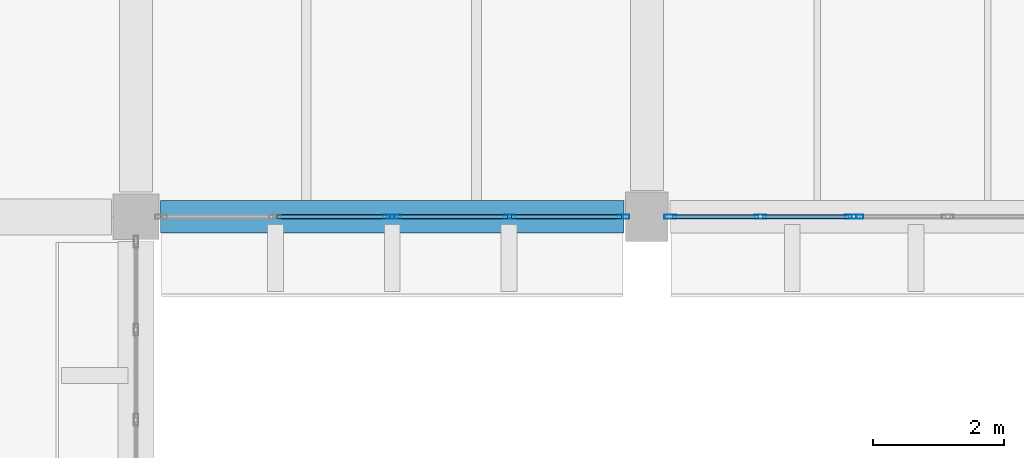
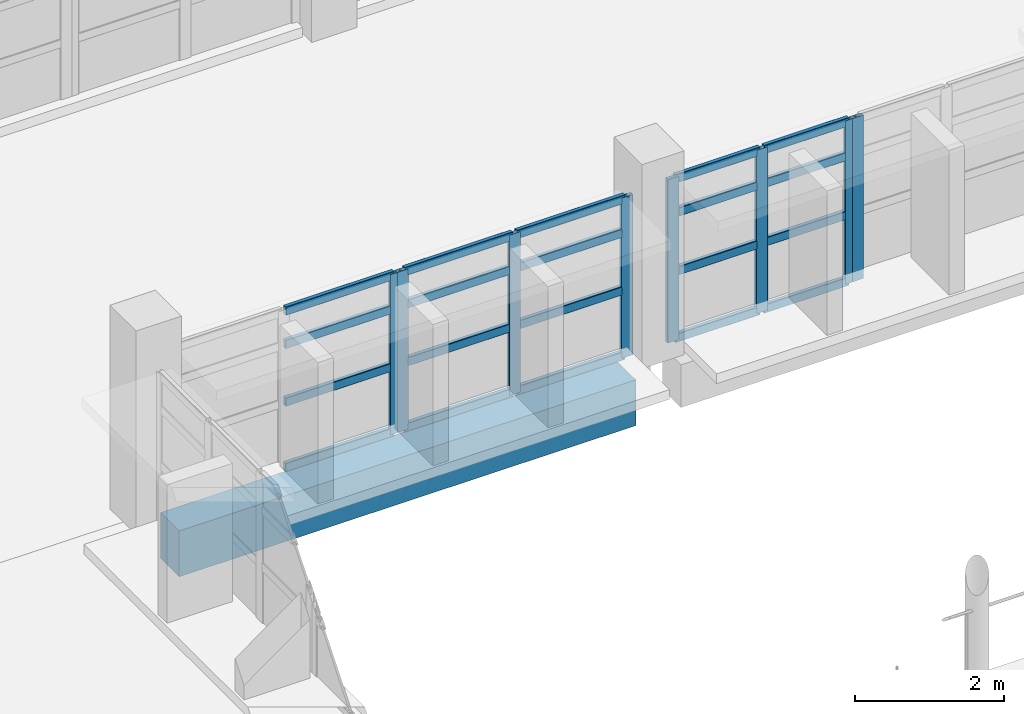
# One storey, part 20 of 75: 28 members, 1 beam, 4 elements without a shape of their own.
"""IFC4 building model written with IfcOpenShell, lengths in metres."""

from ifc_helpers import new_model, si_unit, direction, frame, origin, origin_2d, place, context, subcontext, project, spatial, rectangle, hollow_rectangle, extrude, material, material_profile, profile_set, type_object, element, aggregate, save


model = new_model("IFC4")

# Units and contexts
model_context = context("Model", 3, precision=1e-05, world=origin(), true_north=direction((0.0, 1.0)))
body_context = subcontext(model_context, "Body", "Model", "MODEL_VIEW")
ifc_project = project(units=[si_unit("LENGTHUNIT", "METRE"), si_unit("AREAUNIT", "SQUARE_METRE"), si_unit("VOLUMEUNIT", "CUBIC_METRE"), si_unit("PLANEANGLEUNIT", "RADIAN"), si_unit("MASSUNIT", "GRAM", prefix="KILO")], contexts=[model_context])

# Site, building, storey
site_placement = place(None, origin())
site = spatial("IfcSite", under=ifc_project, at=site_placement, CompositionType="ELEMENT")
building_placement = place(site_placement, origin())
building = spatial("IfcBuilding", under=site, at=building_placement, Name="Varnakota Cinema and Media Centre", CompositionType="ELEMENT")
storey_placement = place(building_placement, frame((0.0, 0.0, 8.39990234375)))
storey = spatial("IfcBuildingStorey", under=building, at=storey_placement, Name="L02", CompositionType="ELEMENT", Elevation=8.39990234375)

# Beam
ifc_material_1 = material(Name="Concrete M35", Category="concrete")
ifc_material_profile_1 = material_profile(ifc_material_1, rectangle(XDim=0.5, YDim=0.75, at=origin_2d()), Name="RCB 500x750")
ifc_profile_set_1 = profile_set([ifc_material_profile_1], Name="Concrete M35")
beam_type = type_object("IfcBeamType", Name="BM-RC-500x750", PredefinedType="BEAM", material=ifc_profile_set_1)
beam_placement = place(storey_placement, frame((51.97509765625, 35.199951171875, -0.625), z_axis=(1.0, 0.0, 0.0), x_axis=(0.0, 1.0, 0.0)))
element("IfcBeam", 1, at=beam_placement, inside=storey, type_object=beam_type, Name="L02 girder G-H/5", PredefinedType="BEAM", context=body_context, shape_type="SweptSolid", body=[
    extrude(rectangle(XDim=0.5, YDim=0.75, at=origin_2d()), origin(), (0.0, 0.0, 1.0), 7.074951171875),
])

# Curtain wall, member
ifc_material_2 = material(Name="Thermally broken anodised aluminium AW-6063", Category="aluminium")
curtain_wall_type_1 = type_object("IfcCurtainWallType", Name="CW-STD-282x268", PredefinedType="USERDEFINED", material=ifc_material_2)
curtain_wall_1_placement = place(storey_placement, origin())
curtain_wall_1 = element("IfcCurtainWall", 2, at=curtain_wall_1_placement, inside=storey, type_object=curtain_wall_type_1, Name="L02 curtain wall CW-L02-LINK-S-W-01-1", ObjectType="UNITISED CURTAIN WALL", PredefinedType="USERDEFINED")
ifc_material_3 = material(Name="Thermally broken anodised aluminium AW-6063", Category="aluminium")
ifc_material_profile_2 = material_profile(ifc_material_3, hollow_rectangle(XDim=0.06494140625, YDim=0.179931640625, WallThickness=0.00390625, InnerFilletRadius=0.00390625, OuterFilletRadius=0.008056640625, at=origin_2d()), Name="AL-MULLION 180x65x4")
ifc_profile_set_2 = profile_set([ifc_material_profile_2], Name="Thermally broken anodised aluminium AW-6063")
member_type_1 = type_object("IfcMemberType", Name="CWM-AL-180", PredefinedType="MULLION", material=ifc_profile_set_2)
member_1_placement = place(storey_placement, frame((62.614990234375, 35.199951171875, 0.0), z_axis=(0.0, 0.0, 1.0), x_axis=(0.0, -1.0, 0.0)))
member_1 = element("IfcMember", 3, at=member_1_placement, type_object=member_type_1, Name="CW32 mullion 3", PredefinedType="MULLION", context=body_context, shape_type="SweptSolid", body=[
    extrude(hollow_rectangle(XDim=0.06494140625, YDim=0.179931640625, WallThickness=0.00390625, InnerFilletRadius=0.00390625, OuterFilletRadius=0.008056640625, at=origin_2d()), origin(), (0.0, 0.0, 1.0), 2.675048828125),
])
aggregate(curtain_wall_1, [member_1])

# Curtain wall, members
curtain_wall_2_placement = place(storey_placement, origin())
curtain_wall_2 = element("IfcCurtainWall", 4, at=curtain_wall_2_placement, inside=storey, type_object=curtain_wall_type_1, Name="L02 curtain wall CW-L02-LINK-S-W-01-2", ObjectType="UNITISED CURTAIN WALL", PredefinedType="USERDEFINED")
member_2_placement = place(storey_placement, frame((62.510009765625, 35.199951171875, 0.0), z_axis=(0.0, 0.0, 1.0), x_axis=(0.0, -1.0, 0.0)))
member_2 = element("IfcMember", 5, at=member_2_placement, type_object=member_type_1, Name="CW32 mullion 1", PredefinedType="MULLION", context=body_context, shape_type="SweptSolid", body=[
    extrude(hollow_rectangle(XDim=0.06494140625, YDim=0.179931640625, WallThickness=0.00390625, InnerFilletRadius=0.00390625, OuterFilletRadius=0.008056640625, at=origin_2d()), origin(), (0.0, 0.0, 1.0), 2.675048828125),
])
member_3_placement = place(storey_placement, frame((61.1337890625, 35.199951171875, 0.0), z_axis=(0.0, 0.0, 1.0), x_axis=(0.0, -1.0, 0.0)))
member_3 = element("IfcMember", 6, at=member_3_placement, type_object=member_type_1, Name="CW32 mullion 2", PredefinedType="MULLION", context=body_context, shape_type="SweptSolid", body=[
    extrude(hollow_rectangle(XDim=0.06494140625, YDim=0.179931640625, WallThickness=0.00390625, InnerFilletRadius=0.00390625, OuterFilletRadius=0.008056640625, at=origin_2d()), origin(), (0.0, 0.0, 1.0), 2.675048828125),
])
member_4_placement = place(storey_placement, frame((59.757568359375, 35.199951171875, 0.0), z_axis=(0.0, 0.0, 1.0), x_axis=(0.0, -1.0, 0.0)))
member_4 = element("IfcMember", 7, at=member_4_placement, type_object=member_type_1, Name="CW32 mullion 3", PredefinedType="MULLION", context=body_context, shape_type="SweptSolid", body=[
    extrude(hollow_rectangle(XDim=0.06494140625, YDim=0.179931640625, WallThickness=0.00390625, InnerFilletRadius=0.00390625, OuterFilletRadius=0.008056640625, at=origin_2d()), origin(), (0.0, 0.0, 1.0), 2.675048828125),
])

ifc_material_4 = material(Name="Thermally broken anodised aluminium AW-6063", Category="aluminium")
curtain_wall_type_2 = type_object("IfcCurtainWallType", Name="CW-STD-354x262", PredefinedType="USERDEFINED", material=ifc_material_4)
curtain_wall_3_placement = place(storey_placement, origin())
curtain_wall_3 = element("IfcCurtainWall", 8, at=curtain_wall_3_placement, inside=storey, type_object=curtain_wall_type_2, Name="L02 curtain wall CW-L02-LINK-S-W-02-1", ObjectType="UNITISED CURTAIN WALL", PredefinedType="USERDEFINED")
member_5_placement = place(storey_placement, frame((59.04248046875, 35.199951171875, 0.0), z_axis=(0.0, 0.0, 1.0), x_axis=(0.0, -1.0, 0.0)))
member_5 = element("IfcMember", 9, at=member_5_placement, type_object=member_type_1, Name="CW33 mullion 1", PredefinedType="MULLION", context=body_context, shape_type="SweptSolid", body=[
    extrude(hollow_rectangle(XDim=0.06494140625, YDim=0.179931640625, WallThickness=0.00390625, InnerFilletRadius=0.00390625, OuterFilletRadius=0.008056640625, at=origin_2d()), origin(), (0.0, 0.0, 1.0), 2.625),
])
member_6_placement = place(storey_placement, frame((57.3037109375, 35.199951171875, 0.0), z_axis=(0.0, 0.0, 1.0), x_axis=(0.0, -1.0, 0.0)))
member_6 = element("IfcMember", 10, at=member_6_placement, type_object=member_type_1, Name="CW33 mullion 2", PredefinedType="MULLION", context=body_context, shape_type="SweptSolid", body=[
    extrude(hollow_rectangle(XDim=0.06494140625, YDim=0.179931640625, WallThickness=0.00390625, InnerFilletRadius=0.00390625, OuterFilletRadius=0.008056640625, at=origin_2d()), origin(), (0.0, 0.0, 1.0), 2.625),
])
member_7_placement = place(storey_placement, frame((55.56494140625, 35.199951171875, 0.0), z_axis=(0.0, 0.0, 1.0), x_axis=(0.0, -1.0, 0.0)))
member_7 = element("IfcMember", 11, at=member_7_placement, type_object=member_type_1, Name="CW33 mullion 3", PredefinedType="MULLION", context=body_context, shape_type="SweptSolid", body=[
    extrude(hollow_rectangle(XDim=0.06494140625, YDim=0.179931640625, WallThickness=0.00390625, InnerFilletRadius=0.00390625, OuterFilletRadius=0.008056640625, at=origin_2d()), origin(), (0.0, 0.0, 1.0), 2.625),
])

# Curtain wall, member
curtain_wall_4_placement = place(storey_placement, origin())
curtain_wall_4 = element("IfcCurtainWall", 12, at=curtain_wall_4_placement, inside=storey, type_object=curtain_wall_type_2, Name="L02 curtain wall CW-L02-LINK-S-W-02-2", ObjectType="UNITISED CURTAIN WALL", PredefinedType="USERDEFINED")
member_8_placement = place(storey_placement, frame((55.4599609375, 35.199951171875, 0.0), z_axis=(0.0, 0.0, 1.0), x_axis=(0.0, -1.0, 0.0)))
member_8 = element("IfcMember", 13, at=member_8_placement, type_object=member_type_1, Name="CW33 mullion 1", PredefinedType="MULLION", context=body_context, shape_type="SweptSolid", body=[
    extrude(hollow_rectangle(XDim=0.06494140625, YDim=0.179931640625, WallThickness=0.00390625, InnerFilletRadius=0.00390625, OuterFilletRadius=0.008056640625, at=origin_2d()), origin(), (0.0, 0.0, 1.0), 2.625),
])

# Member
ifc_material_5 = material(Name="Thermally broken anodised aluminium AW-6063", Category="aluminium")
ifc_material_profile_3 = material_profile(ifc_material_5, hollow_rectangle(XDim=0.06494140625, YDim=0.139892578125, WallThickness=0.00390625, InnerFilletRadius=0.00390625, OuterFilletRadius=0.008056640625, at=origin_2d()), Name="AL-TRANSOM 140x65x4")
ifc_profile_set_3 = profile_set([ifc_material_profile_3], Name="Thermally broken anodised aluminium AW-6063")
member_type_2 = type_object("IfcMemberType", Name="CWT-AL-140", PredefinedType="USERDEFINED", material=ifc_profile_set_3)
member_9_placement = place(storey_placement, frame((62.4775390625, 35.199951171875, 0.03271484375), z_axis=(-1.0, 0.0, 0.0), x_axis=(0.0, -1.0, 0.0)))
member_9 = element("IfcMember", 14, at=member_9_placement, type_object=member_type_2, Name="CW32 transom 1.1", ObjectType="TRANSOM", PredefinedType="USERDEFINED", context=body_context, shape_type="SweptSolid", body=[
    extrude(hollow_rectangle(XDim=0.06494140625, YDim=0.139892578125, WallThickness=0.00390625, InnerFilletRadius=0.00390625, OuterFilletRadius=0.008056640625, at=origin_2d()), origin(), (0.0, 0.0, 1.0), 1.311279296875),
])

member_10_placement = place(storey_placement, frame((62.4775390625, 35.199951171875, 1.12353515625), z_axis=(-1.0, 0.0, 0.0), x_axis=(0.0, -1.0, 0.0)))
member_10 = element("IfcMember", 15, at=member_10_placement, type_object=member_type_2, Name="CW32 transom 1.2", ObjectType="TRANSOM", PredefinedType="USERDEFINED", context=body_context, shape_type="SweptSolid", body=[
    extrude(hollow_rectangle(XDim=0.06494140625, YDim=0.139892578125, WallThickness=0.00390625, InnerFilletRadius=0.00390625, OuterFilletRadius=0.008056640625, at=origin_2d()), origin(), (0.0, 0.0, 1.0), 1.311279296875),
])

member_11_placement = place(storey_placement, frame((62.4775390625, 35.199951171875, 2.086669921875), z_axis=(-1.0, 0.0, 0.0), x_axis=(0.0, -1.0, 0.0)))
member_11 = element("IfcMember", 16, at=member_11_placement, type_object=member_type_2, Name="CW32 transom 1.3", ObjectType="TRANSOM", PredefinedType="USERDEFINED", context=body_context, shape_type="SweptSolid", body=[
    extrude(hollow_rectangle(XDim=0.06494140625, YDim=0.139892578125, WallThickness=0.00390625, InnerFilletRadius=0.00390625, OuterFilletRadius=0.008056640625, at=origin_2d()), origin(), (0.0, 0.0, 1.0), 1.311279296875),
])

member_12_placement = place(storey_placement, frame((62.4775390625, 35.199951171875, 2.642578125), z_axis=(-1.0, 0.0, 0.0), x_axis=(0.0, -1.0, 0.0)))
member_12 = element("IfcMember", 17, at=member_12_placement, type_object=member_type_2, Name="CW32 transom 1.4", ObjectType="TRANSOM", PredefinedType="USERDEFINED", context=body_context, shape_type="SweptSolid", body=[
    extrude(hollow_rectangle(XDim=0.06494140625, YDim=0.139892578125, WallThickness=0.00390625, InnerFilletRadius=0.00390625, OuterFilletRadius=0.008056640625, at=origin_2d()), origin(), (0.0, 0.0, 1.0), 1.311279296875),
])

member_13_placement = place(storey_placement, frame((61.101318359375, 35.199951171875, 0.03271484375), z_axis=(-1.0, 0.0, 0.0), x_axis=(0.0, -1.0, 0.0)))
member_13 = element("IfcMember", 18, at=member_13_placement, type_object=member_type_2, Name="CW32 transom 2.1", ObjectType="TRANSOM", PredefinedType="USERDEFINED", context=body_context, shape_type="SweptSolid", body=[
    extrude(hollow_rectangle(XDim=0.06494140625, YDim=0.139892578125, WallThickness=0.00390625, InnerFilletRadius=0.00390625, OuterFilletRadius=0.008056640625, at=origin_2d()), origin(), (0.0, 0.0, 1.0), 1.311279296875),
])

member_14_placement = place(storey_placement, frame((61.101318359375, 35.199951171875, 1.12353515625), z_axis=(-1.0, 0.0, 0.0), x_axis=(0.0, -1.0, 0.0)))
member_14 = element("IfcMember", 19, at=member_14_placement, type_object=member_type_2, Name="CW32 transom 2.2", ObjectType="TRANSOM", PredefinedType="USERDEFINED", context=body_context, shape_type="SweptSolid", body=[
    extrude(hollow_rectangle(XDim=0.06494140625, YDim=0.139892578125, WallThickness=0.00390625, InnerFilletRadius=0.00390625, OuterFilletRadius=0.008056640625, at=origin_2d()), origin(), (0.0, 0.0, 1.0), 1.311279296875),
])

member_15_placement = place(storey_placement, frame((61.101318359375, 35.199951171875, 2.086669921875), z_axis=(-1.0, 0.0, 0.0), x_axis=(0.0, -1.0, 0.0)))
member_15 = element("IfcMember", 20, at=member_15_placement, type_object=member_type_2, Name="CW32 transom 2.3", ObjectType="TRANSOM", PredefinedType="USERDEFINED", context=body_context, shape_type="SweptSolid", body=[
    extrude(hollow_rectangle(XDim=0.06494140625, YDim=0.139892578125, WallThickness=0.00390625, InnerFilletRadius=0.00390625, OuterFilletRadius=0.008056640625, at=origin_2d()), origin(), (0.0, 0.0, 1.0), 1.311279296875),
])

member_16_placement = place(storey_placement, frame((61.101318359375, 35.199951171875, 2.642578125), z_axis=(-1.0, 0.0, 0.0), x_axis=(0.0, -1.0, 0.0)))
member_16 = element("IfcMember", 21, at=member_16_placement, type_object=member_type_2, Name="CW32 transom 2.4", ObjectType="TRANSOM", PredefinedType="USERDEFINED", context=body_context, shape_type="SweptSolid", body=[
    extrude(hollow_rectangle(XDim=0.06494140625, YDim=0.139892578125, WallThickness=0.00390625, InnerFilletRadius=0.00390625, OuterFilletRadius=0.008056640625, at=origin_2d()), origin(), (0.0, 0.0, 1.0), 1.311279296875),
])

aggregate(curtain_wall_2, [member_2, member_3, member_4, member_9, member_10, member_11, member_12, member_13, member_14, member_15, member_16])

member_17_placement = place(storey_placement, frame((59.010009765625, 35.199951171875, 0.03271484375), z_axis=(-1.0, 0.0, 0.0), x_axis=(0.0, -1.0, 0.0)))
member_17 = element("IfcMember", 22, at=member_17_placement, type_object=member_type_2, Name="CW33 transom 1.1", ObjectType="TRANSOM", PredefinedType="USERDEFINED", context=body_context, shape_type="SweptSolid", body=[
    extrude(hollow_rectangle(XDim=0.06494140625, YDim=0.139892578125, WallThickness=0.00390625, InnerFilletRadius=0.00390625, OuterFilletRadius=0.008056640625, at=origin_2d()), origin(), (0.0, 0.0, 1.0), 1.673828125),
])

member_18_placement = place(storey_placement, frame((59.010009765625, 35.199951171875, 1.1025390625), z_axis=(-1.0, 0.0, 0.0), x_axis=(0.0, -1.0, 0.0)))
member_18 = element("IfcMember", 23, at=member_18_placement, type_object=member_type_2, Name="CW33 transom 1.2", ObjectType="TRANSOM", PredefinedType="USERDEFINED", context=body_context, shape_type="SweptSolid", body=[
    extrude(hollow_rectangle(XDim=0.06494140625, YDim=0.139892578125, WallThickness=0.00390625, InnerFilletRadius=0.00390625, OuterFilletRadius=0.008056640625, at=origin_2d()), origin(), (0.0, 0.0, 1.0), 1.673828125),
])

member_19_placement = place(storey_placement, frame((59.010009765625, 35.199951171875, 2.047607421875), z_axis=(-1.0, 0.0, 0.0), x_axis=(0.0, -1.0, 0.0)))
member_19 = element("IfcMember", 24, at=member_19_placement, type_object=member_type_2, Name="CW33 transom 1.3", ObjectType="TRANSOM", PredefinedType="USERDEFINED", context=body_context, shape_type="SweptSolid", body=[
    extrude(hollow_rectangle(XDim=0.06494140625, YDim=0.139892578125, WallThickness=0.00390625, InnerFilletRadius=0.00390625, OuterFilletRadius=0.008056640625, at=origin_2d()), origin(), (0.0, 0.0, 1.0), 1.673828125),
])

member_20_placement = place(storey_placement, frame((59.010009765625, 35.199951171875, 2.592529296875), z_axis=(-1.0, 0.0, 0.0), x_axis=(0.0, -1.0, 0.0)))
member_20 = element("IfcMember", 25, at=member_20_placement, type_object=member_type_2, Name="CW33 transom 1.4", ObjectType="TRANSOM", PredefinedType="USERDEFINED", context=body_context, shape_type="SweptSolid", body=[
    extrude(hollow_rectangle(XDim=0.06494140625, YDim=0.139892578125, WallThickness=0.00390625, InnerFilletRadius=0.00390625, OuterFilletRadius=0.008056640625, at=origin_2d()), origin(), (0.0, 0.0, 1.0), 1.673828125),
])

member_21_placement = place(storey_placement, frame((57.271240234375, 35.199951171875, 0.03271484375), z_axis=(-1.0, 0.0, 0.0), x_axis=(0.0, -1.0, 0.0)))
member_21 = element("IfcMember", 26, at=member_21_placement, type_object=member_type_2, Name="CW33 transom 2.1", ObjectType="TRANSOM", PredefinedType="USERDEFINED", context=body_context, shape_type="SweptSolid", body=[
    extrude(hollow_rectangle(XDim=0.06494140625, YDim=0.139892578125, WallThickness=0.00390625, InnerFilletRadius=0.00390625, OuterFilletRadius=0.008056640625, at=origin_2d()), origin(), (0.0, 0.0, 1.0), 1.673828125),
])

member_22_placement = place(storey_placement, frame((57.271240234375, 35.199951171875, 1.1025390625), z_axis=(-1.0, 0.0, 0.0), x_axis=(0.0, -1.0, 0.0)))
member_22 = element("IfcMember", 27, at=member_22_placement, type_object=member_type_2, Name="CW33 transom 2.2", ObjectType="TRANSOM", PredefinedType="USERDEFINED", context=body_context, shape_type="SweptSolid", body=[
    extrude(hollow_rectangle(XDim=0.06494140625, YDim=0.139892578125, WallThickness=0.00390625, InnerFilletRadius=0.00390625, OuterFilletRadius=0.008056640625, at=origin_2d()), origin(), (0.0, 0.0, 1.0), 1.673828125),
])

member_23_placement = place(storey_placement, frame((57.271240234375, 35.199951171875, 2.047607421875), z_axis=(-1.0, 0.0, 0.0), x_axis=(0.0, -1.0, 0.0)))
member_23 = element("IfcMember", 28, at=member_23_placement, type_object=member_type_2, Name="CW33 transom 2.3", ObjectType="TRANSOM", PredefinedType="USERDEFINED", context=body_context, shape_type="SweptSolid", body=[
    extrude(hollow_rectangle(XDim=0.06494140625, YDim=0.139892578125, WallThickness=0.00390625, InnerFilletRadius=0.00390625, OuterFilletRadius=0.008056640625, at=origin_2d()), origin(), (0.0, 0.0, 1.0), 1.673828125),
])

member_24_placement = place(storey_placement, frame((57.271240234375, 35.199951171875, 2.592529296875), z_axis=(-1.0, 0.0, 0.0), x_axis=(0.0, -1.0, 0.0)))
member_24 = element("IfcMember", 29, at=member_24_placement, type_object=member_type_2, Name="CW33 transom 2.4", ObjectType="TRANSOM", PredefinedType="USERDEFINED", context=body_context, shape_type="SweptSolid", body=[
    extrude(hollow_rectangle(XDim=0.06494140625, YDim=0.139892578125, WallThickness=0.00390625, InnerFilletRadius=0.00390625, OuterFilletRadius=0.008056640625, at=origin_2d()), origin(), (0.0, 0.0, 1.0), 1.673828125),
])

aggregate(curtain_wall_3, [member_5, member_6, member_7, member_17, member_18, member_19, member_20, member_21, member_22, member_23, member_24])

member_25_placement = place(storey_placement, frame((55.427490234375, 35.199951171875, 0.03271484375), z_axis=(-1.0, 0.0, 0.0), x_axis=(0.0, -1.0, 0.0)))
member_25 = element("IfcMember", 30, at=member_25_placement, type_object=member_type_2, Name="CW33 transom 1.1", ObjectType="TRANSOM", PredefinedType="USERDEFINED", context=body_context, shape_type="SweptSolid", body=[
    extrude(hollow_rectangle(XDim=0.06494140625, YDim=0.139892578125, WallThickness=0.00390625, InnerFilletRadius=0.00390625, OuterFilletRadius=0.008056640625, at=origin_2d()), origin(), (0.0, 0.0, 1.0), 1.673828125),
])

member_26_placement = place(storey_placement, frame((55.427490234375, 35.199951171875, 1.1025390625), z_axis=(-1.0, 0.0, 0.0), x_axis=(0.0, -1.0, 0.0)))
member_26 = element("IfcMember", 31, at=member_26_placement, type_object=member_type_2, Name="CW33 transom 1.2", ObjectType="TRANSOM", PredefinedType="USERDEFINED", context=body_context, shape_type="SweptSolid", body=[
    extrude(hollow_rectangle(XDim=0.06494140625, YDim=0.139892578125, WallThickness=0.00390625, InnerFilletRadius=0.00390625, OuterFilletRadius=0.008056640625, at=origin_2d()), origin(), (0.0, 0.0, 1.0), 1.673828125),
])

member_27_placement = place(storey_placement, frame((55.427490234375, 35.199951171875, 2.047607421875), z_axis=(-1.0, 0.0, 0.0), x_axis=(0.0, -1.0, 0.0)))
member_27 = element("IfcMember", 32, at=member_27_placement, type_object=member_type_2, Name="CW33 transom 1.3", ObjectType="TRANSOM", PredefinedType="USERDEFINED", context=body_context, shape_type="SweptSolid", body=[
    extrude(hollow_rectangle(XDim=0.06494140625, YDim=0.139892578125, WallThickness=0.00390625, InnerFilletRadius=0.00390625, OuterFilletRadius=0.008056640625, at=origin_2d()), origin(), (0.0, 0.0, 1.0), 1.673828125),
])

member_28_placement = place(storey_placement, frame((55.427490234375, 35.199951171875, 2.592529296875), z_axis=(-1.0, 0.0, 0.0), x_axis=(0.0, -1.0, 0.0)))
member_28 = element("IfcMember", 33, at=member_28_placement, type_object=member_type_2, Name="CW33 transom 1.4", ObjectType="TRANSOM", PredefinedType="USERDEFINED", context=body_context, shape_type="SweptSolid", body=[
    extrude(hollow_rectangle(XDim=0.06494140625, YDim=0.139892578125, WallThickness=0.00390625, InnerFilletRadius=0.00390625, OuterFilletRadius=0.008056640625, at=origin_2d()), origin(), (0.0, 0.0, 1.0), 1.673828125),
])

aggregate(curtain_wall_4, [member_8, member_25, member_26, member_27, member_28])

save(model, "model.ifc")
